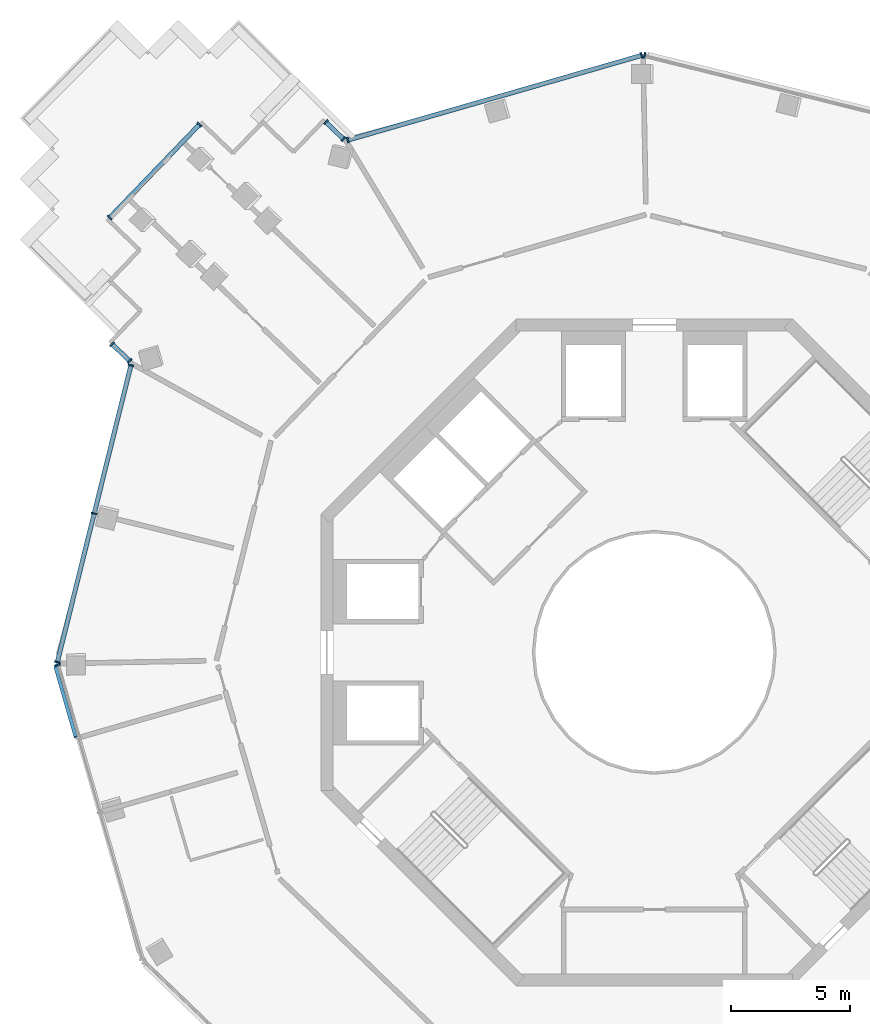
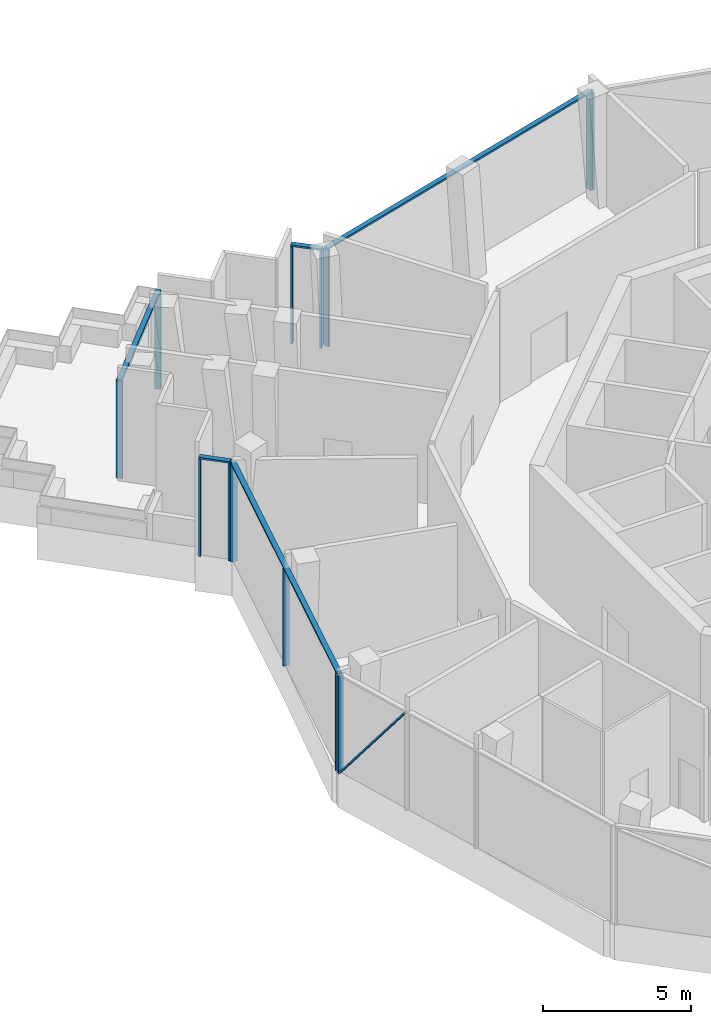
# One storey, part 4 of 17: 19 members, 7 elements without a shape of their own.
"""IFC4 building model written with IfcOpenShell, lengths in metres."""

from ifc_helpers import new_model, si_unit, direction, frame, origin, origin_2d, place, context, subcontext, project, spatial, rectangle, extrude, material, layer, layer_set, material_profile, profile_set, type_object, element, aggregate, save


model = new_model("IFC4")

# Units and contexts
model_context = context("Model", 3, precision=1e-05, world=origin(), true_north=direction((0.0, 1.0)))
body_context = subcontext(model_context, "Body", "Model", "MODEL_VIEW")
ifc_project = project(units=[si_unit("LENGTHUNIT", "METRE"), si_unit("AREAUNIT", "SQUARE_METRE"), si_unit("VOLUMEUNIT", "CUBIC_METRE"), si_unit("PLANEANGLEUNIT", "RADIAN"), si_unit("MASSUNIT", "GRAM", prefix="KILO")], contexts=[model_context])

# Site, building, storey
site_placement = place(None, origin())
site = spatial("IfcSite", under=ifc_project, at=site_placement, CompositionType="ELEMENT")
building_placement = place(site_placement, origin())
building = spatial("IfcBuilding", under=site, at=building_placement, Name="Verdalira Terraces Hotel", CompositionType="ELEMENT")
storey_placement = place(building_placement, frame((0.0, 0.0, 222.0)))
storey = spatial("IfcBuildingStorey", under=building, at=storey_placement, Name="L54", CompositionType="ELEMENT", Elevation=222.0)

# Curtain wall, members
ifc_material_1 = material(Name="Clear glass", Category="glass")
ifc_layer = layer(ifc_material_1, 0.239990234375)
ifc_layer_set = layer_set([ifc_layer], Name="CW5 curtain wall")
curtain_wall_type = type_object("IfcCurtainWallType", Name="CW5 curtain wall", PredefinedType="NOTDEFINED", material=ifc_layer_set)
curtain_wall_1_placement = place(storey_placement, origin())
curtain_wall_1 = element("IfcCurtainWall", 1, at=curtain_wall_1_placement, inside=storey, type_object=curtain_wall_type, Name="CW5 curtain wall L54 edge 0", PredefinedType="NOTDEFINED")
ifc_material_2 = material(Name="Terracotta frame", Category="masonry")
ifc_material_profile_1 = material_profile(ifc_material_2, rectangle(XDim=0.070068, YDim=0.23999, at=origin_2d()), Name="MU 70x240")
ifc_profile_set_1 = profile_set([ifc_material_profile_1], Name="Terracotta frame")
member_type_1 = type_object("IfcMemberType", Name="CW5 mullion 70x240", PredefinedType="MULLION", material=ifc_profile_set_1)
member_1_placement = place(storey_placement, frame((-13.048096, 21.547607, 0.0), z_axis=(0.0, 0.0, 1.0), x_axis=(-0.720309025, 0.693653306, 0.0)))
member_1 = element("IfcMember", 2, at=member_1_placement, type_object=member_type_1, Name="CW5 mullion", PredefinedType="MULLION", context=body_context, shape_type="SweptSolid", body=[
    extrude(rectangle(XDim=0.070068, YDim=0.23999, at=origin_2d()), origin(), (0.0, 0.0, 1.0), 4.014893),
])
member_2_placement = place(storey_placement, frame((-13.787598, 22.259521, 0.0), z_axis=(0.0, 0.0, 1.0), x_axis=(-0.720309025, 0.693653306, 0.0)))
member_2 = element("IfcMember", 3, at=member_2_placement, type_object=member_type_1, Name="CW5 mullion", PredefinedType="MULLION", context=body_context, shape_type="SweptSolid", body=[
    extrude(rectangle(XDim=0.070068, YDim=0.23999, at=origin_2d()), origin(), (0.0, 0.0, 1.0), 4.014893),
])

curtain_wall_2_placement = place(storey_placement, origin())
curtain_wall_2 = element("IfcCurtainWall", 4, at=curtain_wall_2_placement, inside=storey, type_object=curtain_wall_type, Name="CW5 curtain wall L54 edge 5", PredefinedType="NOTDEFINED")
member_3_placement = place(storey_placement, frame((-19.096924, 22.159424, 0.0), z_axis=(0.0, 0.0, 1.0), x_axis=(-0.693653306, -0.720309025, 0.0)))
member_3 = element("IfcMember", 5, at=member_3_placement, type_object=member_type_1, Name="CW5 mullion", PredefinedType="MULLION", context=body_context, shape_type="SweptSolid", body=[
    extrude(rectangle(XDim=0.070068, YDim=0.23999, at=origin_2d()), origin(), (0.0, 0.0, 1.0), 4.014893),
])
member_4_placement = place(storey_placement, frame((-22.863525, 18.248291, 0.0), z_axis=(0.0, 0.0, 1.0), x_axis=(-0.693653306, -0.720309025, 0.0)))
member_4 = element("IfcMember", 6, at=member_4_placement, type_object=member_type_1, Name="CW5 mullion", PredefinedType="MULLION", context=body_context, shape_type="SweptSolid", body=[
    extrude(rectangle(XDim=0.070068, YDim=0.23999, at=origin_2d()), origin(), (0.0, 0.0, 1.0), 4.014893),
])

curtain_wall_3_placement = place(storey_placement, origin())
curtain_wall_3 = element("IfcCurtainWall", 7, at=curtain_wall_3_placement, inside=storey, type_object=curtain_wall_type, Name="CW5 curtain wall L54 edge 10", PredefinedType="NOTDEFINED")
member_5_placement = place(storey_placement, frame((-22.763428, 12.938721, 0.0), z_axis=(0.0, 0.0, 1.0), x_axis=(0.720309025, -0.693653306, 0.0)))
member_5 = element("IfcMember", 8, at=member_5_placement, type_object=member_type_1, Name="CW5 mullion", PredefinedType="MULLION", context=body_context, shape_type="SweptSolid", body=[
    extrude(rectangle(XDim=0.070068, YDim=0.23999, at=origin_2d()), origin(), (0.0, 0.0, 1.0), 4.014893),
])
member_6_placement = place(storey_placement, frame((-22.02417, 12.226807, 0.0), z_axis=(0.0, 0.0, 1.0), x_axis=(0.720309025, -0.693653306, 0.0)))
member_6 = element("IfcMember", 9, at=member_6_placement, type_object=member_type_1, Name="CW5 mullion", PredefinedType="MULLION", context=body_context, shape_type="SweptSolid", body=[
    extrude(rectangle(XDim=0.070068, YDim=0.23999, at=origin_2d()), origin(), (0.0, 0.0, 1.0), 4.014893),
])

curtain_wall_4_placement = place(storey_placement, origin())
curtain_wall_4 = element("IfcCurtainWall", 10, at=curtain_wall_4_placement, inside=storey, type_object=curtain_wall_type, Name="CW5 curtain wall L54 edge 11", PredefinedType="NOTDEFINED")
member_7_placement = place(storey_placement, frame((-21.974121, 12.053223, 0.0), z_axis=(0.0, 0.0, 1.0), x_axis=(-0.240566872, -0.970632567, 0.0)))
member_7 = element("IfcMember", 11, at=member_7_placement, type_object=member_type_1, Name="CW5 mullion", PredefinedType="MULLION", context=body_context, shape_type="SweptSolid", body=[
    extrude(rectangle(XDim=0.070068, YDim=0.23999, at=origin_2d()), origin(), (0.0, 0.0, 1.0), 4.014893),
])
member_8_placement = place(storey_placement, frame((-23.516846, 5.828613, 0.0), z_axis=(0.0, 0.0, 1.0), x_axis=(-0.240566872, -0.970632567, 0.0)))
member_8 = element("IfcMember", 12, at=member_8_placement, type_object=member_type_1, Name="CW5 mullion", PredefinedType="MULLION", context=body_context, shape_type="SweptSolid", body=[
    extrude(rectangle(XDim=0.070068, YDim=0.23999, at=origin_2d()), origin(), (0.0, 0.0, 1.0), 4.014893),
])
member_9_placement = place(storey_placement, frame((-25.0625, -0.407715, 0.0), z_axis=(0.0, 0.0, 1.0), x_axis=(-0.240566872, -0.970632567, 0.0)))
member_9 = element("IfcMember", 13, at=member_9_placement, type_object=member_type_1, Name="CW5 mullion", PredefinedType="MULLION", context=body_context, shape_type="SweptSolid", body=[
    extrude(rectangle(XDim=0.070068, YDim=0.23999, at=origin_2d()), origin(), (0.0, 0.0, 1.0), 4.014893),
])

# Curtain wall, member
curtain_wall_5_placement = place(storey_placement, origin())
curtain_wall_5 = element("IfcCurtainWall", 14, at=curtain_wall_5_placement, inside=storey, type_object=curtain_wall_type, Name="CW5 curtain wall L54 edge 12", PredefinedType="NOTDEFINED")
member_10_placement = place(storey_placement, frame((-25.060059, -0.537354, 0.0), z_axis=(0.0, 0.0, 1.0), x_axis=(0.276979261, -0.960875897, 0.0)))
member_10 = element("IfcMember", 15, at=member_10_placement, type_object=member_type_1, Name="CW5 mullion", PredefinedType="MULLION", context=body_context, shape_type="SweptSolid", body=[
    extrude(rectangle(XDim=0.070068, YDim=0.23999, at=origin_2d()), origin(), (0.0, 0.0, 1.0), 4.014893),
])

curtain_wall_6_placement = place(storey_placement, origin())
curtain_wall_6 = element("IfcCurtainWall", 16, at=curtain_wall_6_placement, inside=storey, type_object=curtain_wall_type, Name="CW5 curtain wall L54 edge 40", PredefinedType="NOTDEFINED")
member_11_placement = place(storey_placement, frame((-0.407715, 25.0625, 0.0), z_axis=(0.0, 0.0, 1.0), x_axis=(-0.970632567, 0.240566872, 0.0)))
member_11 = element("IfcMember", 17, at=member_11_placement, type_object=member_type_1, Name="CW5 mullion", PredefinedType="MULLION", context=body_context, shape_type="SweptSolid", body=[
    extrude(rectangle(XDim=0.070068, YDim=0.23999, at=origin_2d()), origin(), (0.0, 0.0, 1.0), 4.014893),
])
aggregate(curtain_wall_6, [member_11])

# Curtain wall, members
curtain_wall_7_placement = place(storey_placement, origin())
curtain_wall_7 = element("IfcCurtainWall", 18, at=curtain_wall_7_placement, inside=storey, type_object=curtain_wall_type, Name="CW5 curtain wall L54 edge 41", PredefinedType="NOTDEFINED")
member_12_placement = place(storey_placement, frame((-0.537354, 25.060059, 0.0), z_axis=(0.0, 0.0, 1.0), x_axis=(-0.960875897, -0.276979261, 0.0)))
member_12 = element("IfcMember", 19, at=member_12_placement, type_object=member_type_1, Name="CW5 mullion", PredefinedType="MULLION", context=body_context, shape_type="SweptSolid", body=[
    extrude(rectangle(XDim=0.070068, YDim=0.23999, at=origin_2d()), origin(), (0.0, 0.0, 1.0), 4.014893),
])
member_13_placement = place(storey_placement, frame((-12.872803, 21.50415, 0.0), z_axis=(0.0, 0.0, 1.0), x_axis=(-0.960875897, -0.276979261, 0.0)))
member_13 = element("IfcMember", 20, at=member_13_placement, type_object=member_type_1, Name="CW5 mullion", PredefinedType="MULLION", context=body_context, shape_type="SweptSolid", body=[
    extrude(rectangle(XDim=0.070068, YDim=0.23999, at=origin_2d()), origin(), (0.0, 0.0, 1.0), 4.014893),
])

# Member
ifc_material_3 = material(Name="Terracotta frame", Category="masonry")
ifc_material_profile_2 = material_profile(ifc_material_3, rectangle(XDim=0.189941, YDim=0.074951, at=origin_2d()), Name="TR 75x190")
ifc_profile_set_2 = profile_set([ifc_material_profile_2], Name="Terracotta frame")
member_type_2 = type_object("IfcMemberType", Name="CW5 transom 75x190", PredefinedType="USERDEFINED", material=ifc_profile_set_2)
member_14_placement = place(storey_placement, frame((-13.022949, 21.523193, 4.05249), z_axis=(-0.720229568, 0.693735807, 0.0), x_axis=(-0.693735807, -0.720229568, 0.0)))
member_14 = element("IfcMember", 21, at=member_14_placement, type_object=member_type_2, Name="CW5 transom", ObjectType="TRANSOM", PredefinedType="USERDEFINED", context=body_context, shape_type="SweptSolid", body=[
    extrude(rectangle(XDim=0.189941, YDim=0.074951, at=origin_2d()), origin(), (0.0, 0.0, 1.0), 1.09668),
])

aggregate(curtain_wall_1, [member_1, member_2, member_14])

member_15_placement = place(storey_placement, frame((-19.072754, 22.184814, 4.05249), z_axis=(-0.693664718, -0.720298034, 0.0), x_axis=(0.720298034, -0.693664718, 0.0)))
member_15 = element("IfcMember", 22, at=member_15_placement, type_object=member_type_2, Name="CW5 transom", ObjectType="TRANSOM", PredefinedType="USERDEFINED", context=body_context, shape_type="SweptSolid", body=[
    extrude(rectangle(XDim=0.189941, YDim=0.074951, at=origin_2d()), origin(), (0.0, 0.0, 1.0), 5.5),
])

aggregate(curtain_wall_2, [member_3, member_4, member_15])

member_16_placement = place(storey_placement, frame((-22.788574, 12.963135, 4.05249), z_axis=(0.720340816, -0.693620291, 0.0), x_axis=(0.693620291, 0.720340816, 0.0)))
member_16 = element("IfcMember", 23, at=member_16_placement, type_object=member_type_2, Name="CW5 transom", ObjectType="TRANSOM", PredefinedType="USERDEFINED", context=body_context, shape_type="SweptSolid", body=[
    extrude(rectangle(XDim=0.189941, YDim=0.074951, at=origin_2d()), origin(), (0.0, 0.0, 1.0), 1.096436),
])

aggregate(curtain_wall_3, [member_5, member_6, member_16])

member_17_placement = place(storey_placement, frame((-21.965576, 12.087158, 4.05249), z_axis=(-0.240568063, -0.970632272, 0.0), x_axis=(0.970632272, -0.240568063, 0.0)))
member_17 = element("IfcMember", 24, at=member_17_placement, type_object=member_type_2, Name="CW5 transom", ObjectType="TRANSOM", PredefinedType="USERDEFINED", context=body_context, shape_type="SweptSolid", body=[
    extrude(rectangle(XDim=0.189941, YDim=0.074951, at=origin_2d()), origin(), (0.0, 0.0, 1.0), 12.907959),
])

aggregate(curtain_wall_4, [member_7, member_8, member_9, member_17])

member_18_placement = place(storey_placement, frame((-0.503662, 25.06958, 4.05249), z_axis=(-0.960876074, -0.276978647, 0.0), x_axis=(0.276978647, -0.960876074, 0.0)))
member_18 = element("IfcMember", 25, at=member_18_placement, type_object=member_type_2, Name="CW5 transom", ObjectType="TRANSOM", PredefinedType="USERDEFINED", context=body_context, shape_type="SweptSolid", body=[
    extrude(rectangle(XDim=0.189941, YDim=0.074951, at=origin_2d()), origin(), (0.0, 0.0, 1.0), 12.907959),
])

aggregate(curtain_wall_7, [member_12, member_13, member_18])

ifc_material_4 = material(Name="Terracotta frame", Category="masonry")
ifc_material_profile_3 = material_profile(ifc_material_4, rectangle(XDim=0.149902, YDim=0.060059, at=origin_2d()), Name="GB 60x150")
ifc_profile_set_3 = profile_set([ifc_material_profile_3], Name="Terracotta frame")
member_type_3 = type_object("IfcMemberType", Name="Diagonal glazing bar 60x150", PredefinedType="USERDEFINED", material=ifc_profile_set_3)
member_19_placement = place(storey_placement, frame((-25.136475, -0.621826, 0.032227), z_axis=(0.169400995, -0.587794563, 0.791075757), x_axis=(0.960891096, 0.276926528, 0.0)))
member_19 = element("IfcMember", 26, at=member_19_placement, type_object=member_type_3, Name="Diagonal glazing bar", ObjectType="GLAZING BAR", PredefinedType="USERDEFINED", context=body_context, shape_type="SweptSolid", body=[
    extrude(rectangle(XDim=0.149902, YDim=0.060059, at=origin_2d()), origin(), (0.0, 0.0, 1.0), 4.993652),
])

aggregate(curtain_wall_5, [member_10, member_19])

save(model, "model.ifc")
